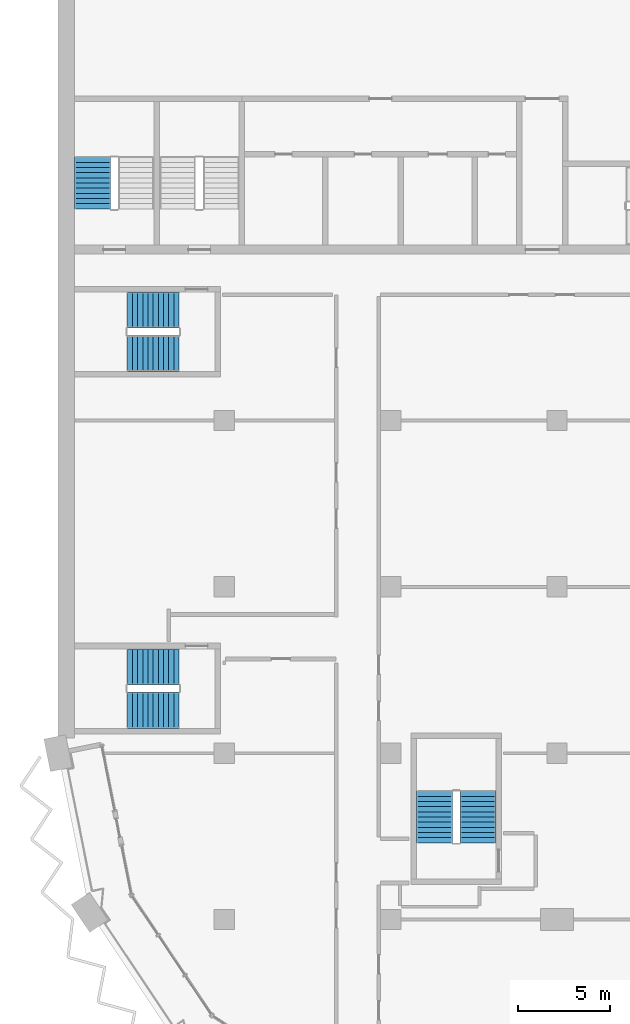
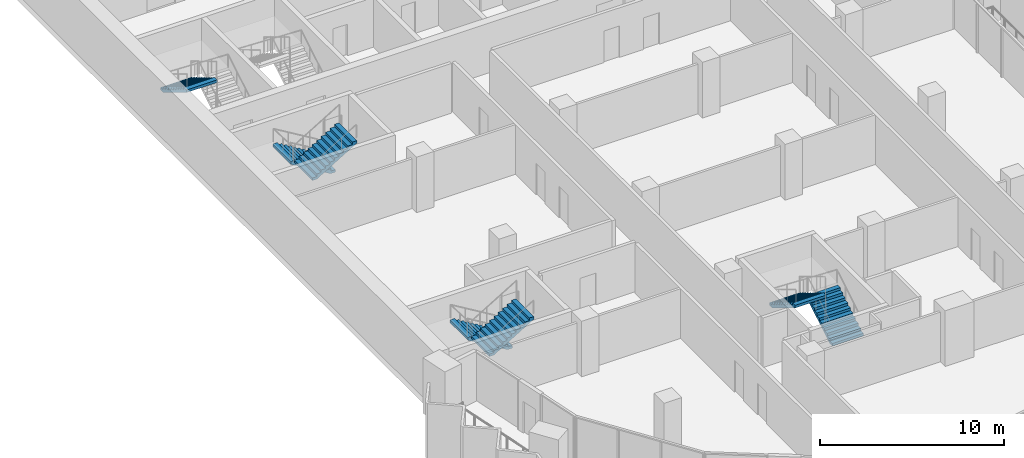
# One storey, part 11 of 18: 7 stair flights, 4 elements without a shape of their own.
"""IFC4 building model written with IfcOpenShell, lengths in metres."""

import ifcopenshell
import ifcopenshell.guid

model = None  # the IFC model being written
_history = None  # IfcOwnerHistory: only IFC2X3 demands one
_inside = {}  # id of a spatial element -> (the spatial element, [elements in it])
_under = {}  # id of a project, library or spatial element -> (it, [spatial elements below it])
_declared = {}  # id of a project -> (the project, [libraries it declares])
_typed = {}  # id of a type object -> (the type object, [elements of that type])
_made_of = {}  # id of a material, layer set ... -> (it, [elements and type objects made of it])


def new_model(schema):
    """Start an empty IFC model of exactly this schema.

    Asked for "IFC4X3", IfcOpenShell would pick the latest addendum, in which some entities
    have other attributes; the version numbers below select the first issue.
    IFC2X3 requires an IfcOwnerHistory on every rooted entity: one is made here for all.
    """
    global model, _history
    if schema == "IFC4X3":
        model = ifcopenshell.file(schema_version=(4, 3, 0, 0))
    else:
        model = ifcopenshell.file(schema=schema)
    _inside.clear()
    _under.clear()
    _declared.clear()
    _typed.clear()
    _made_of.clear()
    _history = None
    if model.schema == "IFC2X3":
        org = make("IfcOrganization", Name="unknown")
        user = make(
            "IfcPersonAndOrganization",
            ThePerson=make("IfcPerson", FamilyName="unknown"),
            TheOrganization=org,
        )
        app = make(
            "IfcApplication",
            ApplicationDeveloper=org,
            Version="unknown",
            ApplicationFullName="unknown",
            ApplicationIdentifier="unknown",
        )
        _history = make(
            "IfcOwnerHistory",
            OwningUser=user,
            OwningApplication=app,
            ChangeAction="ADDED",
            CreationDate=0,
        )
    return model


def make(cls, **values):
    """One entity of the class cls with the attributes given. An attribute that is None is left unset."""
    return model.create_entity(
        cls, **{name: value for name, value in values.items() if value is not None}
    )


def rooted(cls, **values):
    """An entity with a GlobalId (a new one), such as an element, a storey or a relation."""
    return make(cls, GlobalId=ifcopenshell.guid.new(), OwnerHistory=_history, **values)


def si_unit(unit_type, name, prefix=None):
    """IfcSIUnit, for example si_unit("LENGTHUNIT", "METRE", prefix="MILLI")."""
    return make("IfcSIUnit", UnitType=unit_type, Prefix=prefix, Name=name)


def assignment(units):
    """IfcUnitAssignment: the units of a project."""
    return None if units is None else make("IfcUnitAssignment", Units=units)


def point(xyz):
    """IfcCartesianPoint."""
    return None if xyz is None else make("IfcCartesianPoint", Coordinates=xyz)


def direction(xyz):
    """IfcDirection."""
    return None if xyz is None else make("IfcDirection", DirectionRatios=xyz)


def frame(location, z_axis=None, x_axis=None):
    """IfcAxis2Placement3D, a coordinate frame: its origin and axes. An axis left out is left unset."""
    return make(
        "IfcAxis2Placement3D",
        Location=point(location),
        Axis=direction(z_axis),
        RefDirection=direction(x_axis),
    )


def origin():
    """The frame at (0, 0, 0) with its axes left unset."""
    return frame((0.0, 0.0, 0.0))


def place(relative_to, where):
    """IfcLocalPlacement: puts the frame where relative to a parent placement (None: the world)."""
    return make(
        "IfcLocalPlacement", PlacementRelTo=relative_to, RelativePlacement=where
    )


def context(
    kind, dimensions, precision=None, world=None, true_north=None, identifier=None
):
    """IfcGeometricRepresentationContext, for example the 3D "Model" context."""
    return make(
        "IfcGeometricRepresentationContext",
        ContextIdentifier=identifier,
        ContextType=kind,
        CoordinateSpaceDimension=dimensions,
        Precision=precision,
        WorldCoordinateSystem=world,
        TrueNorth=true_north,
    )


def subcontext(parent, identifier, kind, view, scale=None):
    """IfcGeometricRepresentationSubContext, for example "Body" below "Model"."""
    return make(
        "IfcGeometricRepresentationSubContext",
        ContextIdentifier=identifier,
        ContextType=kind,
        ParentContext=parent,
        TargetScale=scale,
        TargetView=view,
    )


def project(units=None, contexts=None):
    """IfcProject with its units and contexts."""
    return rooted(
        "IfcProject",
        Name="project",
        RepresentationContexts=contexts,
        UnitsInContext=assignment(units),
    )


def spatial(cls, under=None, at=None, **own):
    """A site, building, storey or space (cls), placed at a placement, below another one or the project."""
    s = rooted(cls, ObjectPlacement=at, **own)
    if under is not None:
        _under.setdefault(under.id(), (under, []))[1].append(s)
    return s


def polyline(points):
    """IfcPolyline through the points."""
    return make("IfcPolyline", Points=[point(p) for p in points])


def outline(outer, holes=None, kind="AREA"):
    """IfcArbitraryClosedProfileDef: a profile drawn as a closed curve; with holes, ...WithVoids."""
    if holes is None:
        return make("IfcArbitraryClosedProfileDef", ProfileType=kind, OuterCurve=outer)
    return make(
        "IfcArbitraryProfileDefWithVoids",
        ProfileType=kind,
        OuterCurve=outer,
        InnerCurves=holes,
    )


def extrude(swept, where, along, depth):
    """IfcExtrudedAreaSolid: the profile swept, set in the frame where, extruded along a direction by depth."""
    return make(
        "IfcExtrudedAreaSolid",
        SweptArea=swept,
        Position=where,
        ExtrudedDirection=direction(along),
        Depth=depth,
    )


def shape(context_of_items, identifier, shape_type, items):
    """IfcShapeRepresentation: the items that make up one representation, for example the "Body"."""
    return make(
        "IfcShapeRepresentation",
        ContextOfItems=context_of_items,
        RepresentationIdentifier=identifier,
        RepresentationType=shape_type,
        Items=items,
    )


def material(Name=None, Category=None):
    """IfcMaterial."""
    return make("IfcMaterial", Name=Name, Category=Category)


def made_of(thing, what):
    """Note that an element or type object is made of a material, layer set ...; save() writes the relation."""
    if what is not None:
        _made_of.setdefault(what.id(), (what, []))[1].append(thing)
    return thing


def type_object(cls, material=None, **own):
    """A type object (cls), such as IfcWallType, which elements share."""
    return made_of(rooted(cls, **own), material)


def element(
    cls,
    number,
    at=None,
    inside=None,
    cuts=None,
    type_object=None,
    material=None,
    context=None,
    identifier="Body",
    shape_type=None,
    held_by="IfcProductDefinitionShape",
    body=None,
    shapes=None,
    **own,
):
    """One element of the class cls, such as IfcWall. Its Tag is "e" and its number.

    at: its placement. inside: the storey or other place that contains it. cuts: it is an
    opening in that element (IfcRelVoidsElement). A single representation is given by context,
    identifier, shape_type and body (its items); several are given by shapes. held_by: the class
    of the entity that holds the representations. save() writes the other relations.
    """
    e = rooted(cls, Tag="e%d" % number, ObjectPlacement=at, **own)
    if body is not None:
        shapes = [shape(context, identifier, shape_type, body)]
    if shapes is not None:
        e.Representation = make(held_by, Representations=shapes)
    if inside is not None:
        _inside.setdefault(inside.id(), (inside, []))[1].append(e)
    if cuts is not None:
        rooted(
            "IfcRelVoidsElement", RelatingBuildingElement=cuts, RelatedOpeningElement=e
        )
    if type_object is not None:
        _typed.setdefault(type_object.id(), (type_object, []))[1].append(e)
    return made_of(e, material)


def aggregate(whole, parts):
    """IfcRelAggregates: a whole, such as a stair, and the parts it consists of."""
    return rooted("IfcRelAggregates", RelatingObject=whole, RelatedObjects=parts)


def save(model, path):
    """Write the relations noted so far, then the file.

    IfcRelAggregates (storeys below a building ...), IfcRelContainedInSpatialStructure (elements
    in a storey), IfcRelDefinesByType, IfcRelAssociatesMaterial and IfcRelDeclares: one each for
    every whole, place, type object, material and project.
    """
    for whole, parts in _under.values():
        aggregate(whole, parts)
    for where, things in _inside.values():
        rooted(
            "IfcRelContainedInSpatialStructure",
            RelatedElements=things,
            RelatingStructure=where,
        )
    for kind, things in _typed.values():
        rooted("IfcRelDefinesByType", RelatedObjects=things, RelatingType=kind)
    for what, things in _made_of.values():
        rooted("IfcRelAssociatesMaterial", RelatedObjects=things, RelatingMaterial=what)
    for by, libraries in _declared.values():
        rooted("IfcRelDeclares", RelatingContext=by, RelatedDefinitions=libraries)
    model.write(path)


model = new_model("IFC4")

# Units and contexts
model_context = context("Model", 3, precision=1e-05, world=origin(), true_north=direction((0.0, 1.0)))
body_context = subcontext(model_context, "Body", "Model", "MODEL_VIEW")
ifc_project = project(units=[si_unit("LENGTHUNIT", "METRE"), si_unit("AREAUNIT", "SQUARE_METRE"), si_unit("VOLUMEUNIT", "CUBIC_METRE"), si_unit("PLANEANGLEUNIT", "RADIAN"), si_unit("MASSUNIT", "GRAM", prefix="KILO")], contexts=[model_context])

# Site, building, storey
site_placement = place(None, origin())
site = spatial("IfcSite", under=ifc_project, at=site_placement, CompositionType="ELEMENT")
building_placement = place(site_placement, origin())
building = spatial("IfcBuilding", under=site, at=building_placement, Name="Hunhe Ridgeline Campus", CompositionType="ELEMENT")
storey_placement = place(building_placement, frame((0.0, 0.0, 182.800048828125)))
storey = spatial("IfcBuildingStorey", under=building, at=storey_placement, Name="L46", CompositionType="ELEMENT", Elevation=182.800048828125)

# Stair, stair flight
ifc_material = material(Name="Concrete C40", Category="concrete")
stair_type = type_object("IfcStairType", Name="Reinforced concrete dog-leg stair 1950 Concrete C40", PredefinedType="HALF_TURN_STAIR", material=ifc_material)
stair_1_placement = place(storey_placement, origin())
stair_1 = element("IfcStair", 1, at=stair_1_placement, inside=storey, type_object=stair_type, Name="L46 S3", PredefinedType="HALF_TURN_STAIR")
stair_flight_type = type_object("IfcStairFlightType", Name="Reinforced concrete stair flight 1950 Concrete C40", PredefinedType="STRAIGHT", material=ifc_material)
stair_flight_1_placement = place(storey_placement, frame((1.875, 68.25, 1.849853515625), z_axis=(0.0, 0.0, 1.0), x_axis=(0.0, -1.0, 0.0)))
stair_flight_1 = element("IfcStairFlight", 2, at=stair_flight_1_placement, type_object=stair_flight_type, Name="ST3 flight 2", NumberOfRisers=11, NumberOfTreads=10, PredefinedType="STRAIGHT", RiserHeight=0.168181818, TreadLength=0.28, context=body_context, shape_type="SweptSolid", body=[
    extrude(outline(polyline([(0.0, 0.0), (0.0, 0.168212890625), (0.280029296875, 0.168212890625), (0.280029296875, 0.33642578125), (0.56005859375, 0.33642578125), (0.56005859375, 0.504638671875), (0.840087890625, 0.504638671875), (0.840087890625, 0.672607421875), (1.1201171875, 0.672607421875), (1.1201171875, 0.8408203125), (1.39990234375, 0.8408203125), (1.39990234375, 1.009033203125), (1.679931640625, 1.009033203125), (1.679931640625, 1.17724609375), (1.9599609375, 1.17724609375), (1.9599609375, 1.345458984375), (2.239990234375, 1.345458984375), (2.239990234375, 1.513671875), (2.52001953125, 1.513671875), (2.52001953125, 1.681884765625), (2.800048828125, 1.681884765625), (2.800048828125, 1.85009765625), (2.800048828125, 1.5068359375), (0.291015625, 0.0), (0.0, 0.0)])), frame((0.0, 0.97509765625, 0.0), z_axis=(0.0, -1.0, 0.0), x_axis=(1.0, 0.0, 0.0)), (0.0, 0.0, 1.0), 1.949951171875),
    extrude(outline(polyline([(0.030029296875, 0.030029296875), (0.030029296875, 0.13818359375), (0.31005859375, 0.13818359375), (0.31005859375, 0.306396484375), (0.590087890625, 0.306396484375), (0.590087890625, 0.474609375), (0.8701171875, 0.474609375), (0.8701171875, 0.642578125), (1.14990234375, 0.642578125), (1.14990234375, 0.810791015625), (1.429931640625, 0.810791015625), (1.429931640625, 0.97900390625), (1.7099609375, 0.97900390625), (1.7099609375, 1.147216796875), (1.989990234375, 1.147216796875), (1.989990234375, 1.3154296875), (2.27001953125, 1.3154296875), (2.27001953125, 1.483642578125), (2.550048828125, 1.483642578125), (2.550048828125, 1.65185546875), (2.77001953125, 1.65185546875), (2.77001953125, 1.52392578125), (0.28271484375, 0.030029296875), (0.030029296875, 0.030029296875)])), frame((0.0, -0.070068359375, 0.0), z_axis=(0.0, -1.0, 0.0), x_axis=(1.0, 0.0, 0.0)), (0.0, 0.0, 1.0), 0.019775390625),
    extrude(outline(polyline([(0.030029296875, 0.030029296875), (0.030029296875, 0.13818359375), (0.31005859375, 0.13818359375), (0.31005859375, 0.306396484375), (0.590087890625, 0.306396484375), (0.590087890625, 0.474609375), (0.8701171875, 0.474609375), (0.8701171875, 0.642578125), (1.14990234375, 0.642578125), (1.14990234375, 0.810791015625), (1.429931640625, 0.810791015625), (1.429931640625, 0.97900390625), (1.7099609375, 0.97900390625), (1.7099609375, 1.147216796875), (1.989990234375, 1.147216796875), (1.989990234375, 1.3154296875), (2.27001953125, 1.3154296875), (2.27001953125, 1.483642578125), (2.550048828125, 1.483642578125), (2.550048828125, 1.65185546875), (2.77001953125, 1.65185546875), (2.77001953125, 1.52392578125), (0.28271484375, 0.030029296875), (0.030029296875, 0.030029296875)])), frame((0.0, 0.010009765625, 0.0), z_axis=(0.0, -1.0, 0.0), x_axis=(1.0, 0.0, 0.0)), (0.0, 0.0, 1.0), 0.019775390625),
    extrude(outline(polyline([(0.030029296875, 0.030029296875), (0.030029296875, 0.13818359375), (0.31005859375, 0.13818359375), (0.31005859375, 0.306396484375), (0.590087890625, 0.306396484375), (0.590087890625, 0.474609375), (0.8701171875, 0.474609375), (0.8701171875, 0.642578125), (1.14990234375, 0.642578125), (1.14990234375, 0.810791015625), (1.429931640625, 0.810791015625), (1.429931640625, 0.97900390625), (1.7099609375, 0.97900390625), (1.7099609375, 1.147216796875), (1.989990234375, 1.147216796875), (1.989990234375, 1.3154296875), (2.27001953125, 1.3154296875), (2.27001953125, 1.483642578125), (2.550048828125, 1.483642578125), (2.550048828125, 1.65185546875), (2.77001953125, 1.65185546875), (2.77001953125, 1.52392578125), (0.28271484375, 0.030029296875), (0.030029296875, 0.030029296875)])), frame((0.0, 0.090087890625, 0.0), z_axis=(0.0, -1.0, 0.0), x_axis=(1.0, 0.0, 0.0)), (0.0, 0.0, 1.0), 0.019775390625),
])
aggregate(stair_1, [stair_flight_1])

# Stair, stair flights
stair_2_placement = place(storey_placement, origin())
stair_2 = element("IfcStair", 3, at=stair_2_placement, inside=storey, type_object=stair_type, Name="L46 W3", PredefinedType="HALF_TURN_STAIR")
stair_flight_2_placement = place(storey_placement, frame((22.72509765625, 31.14990234375, 0.0), z_axis=(0.0, 0.0, 1.0), x_axis=(0.0, 1.0, 0.0)))
stair_flight_2 = element("IfcStairFlight", 4, at=stair_flight_2_placement, type_object=stair_flight_type, Name="ST9 flight 1", NumberOfRisers=11, NumberOfTreads=10, PredefinedType="STRAIGHT", RiserHeight=0.168181818, TreadLength=0.28, context=body_context, shape_type="SweptSolid", body=[
    extrude(outline(polyline([(0.0, 0.0), (0.0, 0.168212890625), (0.280029296875, 0.168212890625), (0.280029296875, 0.33642578125), (0.56005859375, 0.33642578125), (0.56005859375, 0.504638671875), (0.840087890625, 0.504638671875), (0.840087890625, 0.672607421875), (1.1201171875, 0.672607421875), (1.1201171875, 0.8408203125), (1.39990234375, 0.8408203125), (1.39990234375, 1.009033203125), (1.679931640625, 1.009033203125), (1.679931640625, 1.17724609375), (1.9599609375, 1.17724609375), (1.9599609375, 1.345458984375), (2.239990234375, 1.345458984375), (2.239990234375, 1.513671875), (2.52001953125, 1.513671875), (2.52001953125, 1.681884765625), (2.800048828125, 1.681884765625), (2.800048828125, 1.85009765625), (2.800048828125, 1.5068359375), (0.291015625, 0.0), (0.0, 0.0)])), frame((0.0, 0.97509765625, 0.0), z_axis=(0.0, -1.0, 0.0), x_axis=(1.0, 0.0, 0.0)), (0.0, 0.0, 1.0), 1.949951171875),
    extrude(outline(polyline([(0.030029296875, 0.030029296875), (0.030029296875, 0.13818359375), (0.31005859375, 0.13818359375), (0.31005859375, 0.306396484375), (0.590087890625, 0.306396484375), (0.590087890625, 0.474609375), (0.8701171875, 0.474609375), (0.8701171875, 0.642578125), (1.14990234375, 0.642578125), (1.14990234375, 0.810791015625), (1.429931640625, 0.810791015625), (1.429931640625, 0.97900390625), (1.7099609375, 0.97900390625), (1.7099609375, 1.147216796875), (1.989990234375, 1.147216796875), (1.989990234375, 1.3154296875), (2.27001953125, 1.3154296875), (2.27001953125, 1.483642578125), (2.550048828125, 1.483642578125), (2.550048828125, 1.65185546875), (2.77001953125, 1.65185546875), (2.77001953125, 1.52392578125), (0.28271484375, 0.030029296875), (0.030029296875, 0.030029296875)])), frame((0.0, -0.070068359375, 0.0), z_axis=(0.0, -1.0, 0.0), x_axis=(1.0, 0.0, 0.0)), (0.0, 0.0, 1.0), 0.019775390625),
    extrude(outline(polyline([(0.030029296875, 0.030029296875), (0.030029296875, 0.13818359375), (0.31005859375, 0.13818359375), (0.31005859375, 0.306396484375), (0.590087890625, 0.306396484375), (0.590087890625, 0.474609375), (0.8701171875, 0.474609375), (0.8701171875, 0.642578125), (1.14990234375, 0.642578125), (1.14990234375, 0.810791015625), (1.429931640625, 0.810791015625), (1.429931640625, 0.97900390625), (1.7099609375, 0.97900390625), (1.7099609375, 1.147216796875), (1.989990234375, 1.147216796875), (1.989990234375, 1.3154296875), (2.27001953125, 1.3154296875), (2.27001953125, 1.483642578125), (2.550048828125, 1.483642578125), (2.550048828125, 1.65185546875), (2.77001953125, 1.65185546875), (2.77001953125, 1.52392578125), (0.28271484375, 0.030029296875), (0.030029296875, 0.030029296875)])), frame((0.0, 0.010009765625, 0.0), z_axis=(0.0, -1.0, 0.0), x_axis=(1.0, 0.0, 0.0)), (0.0, 0.0, 1.0), 0.019775390625),
    extrude(outline(polyline([(0.030029296875, 0.030029296875), (0.030029296875, 0.13818359375), (0.31005859375, 0.13818359375), (0.31005859375, 0.306396484375), (0.590087890625, 0.306396484375), (0.590087890625, 0.474609375), (0.8701171875, 0.474609375), (0.8701171875, 0.642578125), (1.14990234375, 0.642578125), (1.14990234375, 0.810791015625), (1.429931640625, 0.810791015625), (1.429931640625, 0.97900390625), (1.7099609375, 0.97900390625), (1.7099609375, 1.147216796875), (1.989990234375, 1.147216796875), (1.989990234375, 1.3154296875), (2.27001953125, 1.3154296875), (2.27001953125, 1.483642578125), (2.550048828125, 1.483642578125), (2.550048828125, 1.65185546875), (2.77001953125, 1.65185546875), (2.77001953125, 1.52392578125), (0.28271484375, 0.030029296875), (0.030029296875, 0.030029296875)])), frame((0.0, 0.090087890625, 0.0), z_axis=(0.0, -1.0, 0.0), x_axis=(1.0, 0.0, 0.0)), (0.0, 0.0, 1.0), 0.019775390625),
])
stair_flight_3_placement = place(storey_placement, frame((20.375, 33.949951171875, 1.849853515625), z_axis=(0.0, 0.0, 1.0), x_axis=(0.0, -1.0, 0.0)))
stair_flight_3 = element("IfcStairFlight", 5, at=stair_flight_3_placement, type_object=stair_flight_type, Name="ST9 flight 2", NumberOfRisers=11, NumberOfTreads=10, PredefinedType="STRAIGHT", RiserHeight=0.168181818, TreadLength=0.28, context=body_context, shape_type="SweptSolid", body=[
    extrude(outline(polyline([(0.0, 0.0), (0.0, 0.168212890625), (0.280029296875, 0.168212890625), (0.280029296875, 0.33642578125), (0.56005859375, 0.33642578125), (0.56005859375, 0.504638671875), (0.840087890625, 0.504638671875), (0.840087890625, 0.672607421875), (1.1201171875, 0.672607421875), (1.1201171875, 0.8408203125), (1.39990234375, 0.8408203125), (1.39990234375, 1.009033203125), (1.679931640625, 1.009033203125), (1.679931640625, 1.17724609375), (1.9599609375, 1.17724609375), (1.9599609375, 1.345458984375), (2.239990234375, 1.345458984375), (2.239990234375, 1.513671875), (2.52001953125, 1.513671875), (2.52001953125, 1.681884765625), (2.800048828125, 1.681884765625), (2.800048828125, 1.85009765625), (2.800048828125, 1.5068359375), (0.291015625, 0.0), (0.0, 0.0)])), frame((0.0, 0.97509765625, 0.0), z_axis=(0.0, -1.0, 0.0), x_axis=(1.0, 0.0, 0.0)), (0.0, 0.0, 1.0), 1.949951171875),
    extrude(outline(polyline([(0.030029296875, 0.030029296875), (0.030029296875, 0.13818359375), (0.31005859375, 0.13818359375), (0.31005859375, 0.306396484375), (0.590087890625, 0.306396484375), (0.590087890625, 0.474609375), (0.8701171875, 0.474609375), (0.8701171875, 0.642578125), (1.14990234375, 0.642578125), (1.14990234375, 0.810791015625), (1.429931640625, 0.810791015625), (1.429931640625, 0.97900390625), (1.7099609375, 0.97900390625), (1.7099609375, 1.147216796875), (1.989990234375, 1.147216796875), (1.989990234375, 1.3154296875), (2.27001953125, 1.3154296875), (2.27001953125, 1.483642578125), (2.550048828125, 1.483642578125), (2.550048828125, 1.65185546875), (2.77001953125, 1.65185546875), (2.77001953125, 1.52392578125), (0.28271484375, 0.030029296875), (0.030029296875, 0.030029296875)])), frame((0.0, -0.070068359375, 0.0), z_axis=(0.0, -1.0, 0.0), x_axis=(1.0, 0.0, 0.0)), (0.0, 0.0, 1.0), 0.019775390625),
    extrude(outline(polyline([(0.030029296875, 0.030029296875), (0.030029296875, 0.13818359375), (0.31005859375, 0.13818359375), (0.31005859375, 0.306396484375), (0.590087890625, 0.306396484375), (0.590087890625, 0.474609375), (0.8701171875, 0.474609375), (0.8701171875, 0.642578125), (1.14990234375, 0.642578125), (1.14990234375, 0.810791015625), (1.429931640625, 0.810791015625), (1.429931640625, 0.97900390625), (1.7099609375, 0.97900390625), (1.7099609375, 1.147216796875), (1.989990234375, 1.147216796875), (1.989990234375, 1.3154296875), (2.27001953125, 1.3154296875), (2.27001953125, 1.483642578125), (2.550048828125, 1.483642578125), (2.550048828125, 1.65185546875), (2.77001953125, 1.65185546875), (2.77001953125, 1.52392578125), (0.28271484375, 0.030029296875), (0.030029296875, 0.030029296875)])), frame((0.0, 0.010009765625, 0.0), z_axis=(0.0, -1.0, 0.0), x_axis=(1.0, 0.0, 0.0)), (0.0, 0.0, 1.0), 0.019775390625),
    extrude(outline(polyline([(0.030029296875, 0.030029296875), (0.030029296875, 0.13818359375), (0.31005859375, 0.13818359375), (0.31005859375, 0.306396484375), (0.590087890625, 0.306396484375), (0.590087890625, 0.474609375), (0.8701171875, 0.474609375), (0.8701171875, 0.642578125), (1.14990234375, 0.642578125), (1.14990234375, 0.810791015625), (1.429931640625, 0.810791015625), (1.429931640625, 0.97900390625), (1.7099609375, 0.97900390625), (1.7099609375, 1.147216796875), (1.989990234375, 1.147216796875), (1.989990234375, 1.3154296875), (2.27001953125, 1.3154296875), (2.27001953125, 1.483642578125), (2.550048828125, 1.483642578125), (2.550048828125, 1.65185546875), (2.77001953125, 1.65185546875), (2.77001953125, 1.52392578125), (0.28271484375, 0.030029296875), (0.030029296875, 0.030029296875)])), frame((0.0, 0.090087890625, 0.0), z_axis=(0.0, -1.0, 0.0), x_axis=(1.0, 0.0, 0.0)), (0.0, 0.0, 1.0), 0.019775390625),
])
aggregate(stair_2, [stair_flight_2, stair_flight_3])

stair_3_placement = place(storey_placement, origin())
stair_3 = element("IfcStair", 6, at=stair_3_placement, inside=storey, type_object=stair_type, Name="L46 W1", PredefinedType="HALF_TURN_STAIR")
stair_flight_4_placement = place(storey_placement, frame((6.550048828125, 40.675048828125, 0.0), z_axis=(0.0, 0.0, 1.0), x_axis=(-1.0, 0.0, 0.0)))
stair_flight_4 = element("IfcStairFlight", 7, at=stair_flight_4_placement, type_object=stair_flight_type, Name="ST11 flight 1", NumberOfRisers=11, NumberOfTreads=10, PredefinedType="STRAIGHT", RiserHeight=0.168181818, TreadLength=0.28, context=body_context, shape_type="SweptSolid", body=[
    extrude(outline(polyline([(0.0, 0.0), (0.0, 0.168212890625), (0.280029296875, 0.168212890625), (0.280029296875, 0.33642578125), (0.56005859375, 0.33642578125), (0.56005859375, 0.504638671875), (0.840087890625, 0.504638671875), (0.840087890625, 0.672607421875), (1.1201171875, 0.672607421875), (1.1201171875, 0.8408203125), (1.39990234375, 0.8408203125), (1.39990234375, 1.009033203125), (1.679931640625, 1.009033203125), (1.679931640625, 1.17724609375), (1.9599609375, 1.17724609375), (1.9599609375, 1.345458984375), (2.239990234375, 1.345458984375), (2.239990234375, 1.513671875), (2.52001953125, 1.513671875), (2.52001953125, 1.681884765625), (2.800048828125, 1.681884765625), (2.800048828125, 1.85009765625), (2.800048828125, 1.5068359375), (0.291015625, 0.0), (0.0, 0.0)])), frame((0.0, 0.97509765625, 0.0), z_axis=(0.0, -1.0, 0.0), x_axis=(1.0, 0.0, 0.0)), (0.0, 0.0, 1.0), 1.949951171875),
    extrude(outline(polyline([(0.030029296875, 0.030029296875), (0.030029296875, 0.13818359375), (0.31005859375, 0.13818359375), (0.31005859375, 0.306396484375), (0.590087890625, 0.306396484375), (0.590087890625, 0.474609375), (0.8701171875, 0.474609375), (0.8701171875, 0.642578125), (1.14990234375, 0.642578125), (1.14990234375, 0.810791015625), (1.429931640625, 0.810791015625), (1.429931640625, 0.97900390625), (1.7099609375, 0.97900390625), (1.7099609375, 1.147216796875), (1.989990234375, 1.147216796875), (1.989990234375, 1.3154296875), (2.27001953125, 1.3154296875), (2.27001953125, 1.483642578125), (2.550048828125, 1.483642578125), (2.550048828125, 1.65185546875), (2.77001953125, 1.65185546875), (2.77001953125, 1.52392578125), (0.28271484375, 0.030029296875), (0.030029296875, 0.030029296875)])), frame((0.0, -0.070068359375, 0.0), z_axis=(0.0, -1.0, 0.0), x_axis=(1.0, 0.0, 0.0)), (0.0, 0.0, 1.0), 0.019775390625),
    extrude(outline(polyline([(0.030029296875, 0.030029296875), (0.030029296875, 0.13818359375), (0.31005859375, 0.13818359375), (0.31005859375, 0.306396484375), (0.590087890625, 0.306396484375), (0.590087890625, 0.474609375), (0.8701171875, 0.474609375), (0.8701171875, 0.642578125), (1.14990234375, 0.642578125), (1.14990234375, 0.810791015625), (1.429931640625, 0.810791015625), (1.429931640625, 0.97900390625), (1.7099609375, 0.97900390625), (1.7099609375, 1.147216796875), (1.989990234375, 1.147216796875), (1.989990234375, 1.3154296875), (2.27001953125, 1.3154296875), (2.27001953125, 1.483642578125), (2.550048828125, 1.483642578125), (2.550048828125, 1.65185546875), (2.77001953125, 1.65185546875), (2.77001953125, 1.52392578125), (0.28271484375, 0.030029296875), (0.030029296875, 0.030029296875)])), frame((0.0, 0.010009765625, 0.0), z_axis=(0.0, -1.0, 0.0), x_axis=(1.0, 0.0, 0.0)), (0.0, 0.0, 1.0), 0.019775390625),
    extrude(outline(polyline([(0.030029296875, 0.030029296875), (0.030029296875, 0.13818359375), (0.31005859375, 0.13818359375), (0.31005859375, 0.306396484375), (0.590087890625, 0.306396484375), (0.590087890625, 0.474609375), (0.8701171875, 0.474609375), (0.8701171875, 0.642578125), (1.14990234375, 0.642578125), (1.14990234375, 0.810791015625), (1.429931640625, 0.810791015625), (1.429931640625, 0.97900390625), (1.7099609375, 0.97900390625), (1.7099609375, 1.147216796875), (1.989990234375, 1.147216796875), (1.989990234375, 1.3154296875), (2.27001953125, 1.3154296875), (2.27001953125, 1.483642578125), (2.550048828125, 1.483642578125), (2.550048828125, 1.65185546875), (2.77001953125, 1.65185546875), (2.77001953125, 1.52392578125), (0.28271484375, 0.030029296875), (0.030029296875, 0.030029296875)])), frame((0.0, 0.090087890625, 0.0), z_axis=(0.0, -1.0, 0.0), x_axis=(1.0, 0.0, 0.0)), (0.0, 0.0, 1.0), 0.019775390625),
])
stair_flight_5_placement = place(storey_placement, frame((3.75, 38.324951171875, 1.849853515625), z_axis=(0.0, 0.0, 1.0), x_axis=(1.0, 0.0, 0.0)))
stair_flight_5 = element("IfcStairFlight", 8, at=stair_flight_5_placement, type_object=stair_flight_type, Name="ST11 flight 2", NumberOfRisers=11, NumberOfTreads=10, PredefinedType="STRAIGHT", RiserHeight=0.168181818, TreadLength=0.28, context=body_context, shape_type="SweptSolid", body=[
    extrude(outline(polyline([(0.0, 0.0), (0.0, 0.168212890625), (0.280029296875, 0.168212890625), (0.280029296875, 0.33642578125), (0.56005859375, 0.33642578125), (0.56005859375, 0.504638671875), (0.840087890625, 0.504638671875), (0.840087890625, 0.672607421875), (1.1201171875, 0.672607421875), (1.1201171875, 0.8408203125), (1.39990234375, 0.8408203125), (1.39990234375, 1.009033203125), (1.679931640625, 1.009033203125), (1.679931640625, 1.17724609375), (1.9599609375, 1.17724609375), (1.9599609375, 1.345458984375), (2.239990234375, 1.345458984375), (2.239990234375, 1.513671875), (2.52001953125, 1.513671875), (2.52001953125, 1.681884765625), (2.800048828125, 1.681884765625), (2.800048828125, 1.85009765625), (2.800048828125, 1.5068359375), (0.291015625, 0.0), (0.0, 0.0)])), frame((0.0, 0.97509765625, 0.0), z_axis=(0.0, -1.0, 0.0), x_axis=(1.0, 0.0, 0.0)), (0.0, 0.0, 1.0), 1.949951171875),
    extrude(outline(polyline([(0.030029296875, 0.030029296875), (0.030029296875, 0.13818359375), (0.31005859375, 0.13818359375), (0.31005859375, 0.306396484375), (0.590087890625, 0.306396484375), (0.590087890625, 0.474609375), (0.8701171875, 0.474609375), (0.8701171875, 0.642578125), (1.14990234375, 0.642578125), (1.14990234375, 0.810791015625), (1.429931640625, 0.810791015625), (1.429931640625, 0.97900390625), (1.7099609375, 0.97900390625), (1.7099609375, 1.147216796875), (1.989990234375, 1.147216796875), (1.989990234375, 1.3154296875), (2.27001953125, 1.3154296875), (2.27001953125, 1.483642578125), (2.550048828125, 1.483642578125), (2.550048828125, 1.65185546875), (2.77001953125, 1.65185546875), (2.77001953125, 1.52392578125), (0.28271484375, 0.030029296875), (0.030029296875, 0.030029296875)])), frame((0.0, -0.070068359375, 0.0), z_axis=(0.0, -1.0, 0.0), x_axis=(1.0, 0.0, 0.0)), (0.0, 0.0, 1.0), 0.019775390625),
    extrude(outline(polyline([(0.030029296875, 0.030029296875), (0.030029296875, 0.13818359375), (0.31005859375, 0.13818359375), (0.31005859375, 0.306396484375), (0.590087890625, 0.306396484375), (0.590087890625, 0.474609375), (0.8701171875, 0.474609375), (0.8701171875, 0.642578125), (1.14990234375, 0.642578125), (1.14990234375, 0.810791015625), (1.429931640625, 0.810791015625), (1.429931640625, 0.97900390625), (1.7099609375, 0.97900390625), (1.7099609375, 1.147216796875), (1.989990234375, 1.147216796875), (1.989990234375, 1.3154296875), (2.27001953125, 1.3154296875), (2.27001953125, 1.483642578125), (2.550048828125, 1.483642578125), (2.550048828125, 1.65185546875), (2.77001953125, 1.65185546875), (2.77001953125, 1.52392578125), (0.28271484375, 0.030029296875), (0.030029296875, 0.030029296875)])), frame((0.0, 0.010009765625, 0.0), z_axis=(0.0, -1.0, 0.0), x_axis=(1.0, 0.0, 0.0)), (0.0, 0.0, 1.0), 0.019775390625),
    extrude(outline(polyline([(0.030029296875, 0.030029296875), (0.030029296875, 0.13818359375), (0.31005859375, 0.13818359375), (0.31005859375, 0.306396484375), (0.590087890625, 0.306396484375), (0.590087890625, 0.474609375), (0.8701171875, 0.474609375), (0.8701171875, 0.642578125), (1.14990234375, 0.642578125), (1.14990234375, 0.810791015625), (1.429931640625, 0.810791015625), (1.429931640625, 0.97900390625), (1.7099609375, 0.97900390625), (1.7099609375, 1.147216796875), (1.989990234375, 1.147216796875), (1.989990234375, 1.3154296875), (2.27001953125, 1.3154296875), (2.27001953125, 1.483642578125), (2.550048828125, 1.483642578125), (2.550048828125, 1.65185546875), (2.77001953125, 1.65185546875), (2.77001953125, 1.52392578125), (0.28271484375, 0.030029296875), (0.030029296875, 0.030029296875)])), frame((0.0, 0.090087890625, 0.0), z_axis=(0.0, -1.0, 0.0), x_axis=(1.0, 0.0, 0.0)), (0.0, 0.0, 1.0), 0.019775390625),
])
aggregate(stair_3, [stair_flight_4, stair_flight_5])

stair_4_placement = place(storey_placement, origin())
stair_4 = element("IfcStair", 9, at=stair_4_placement, inside=storey, type_object=stair_type, Name="L46 W2", PredefinedType="HALF_TURN_STAIR")
stair_flight_6_placement = place(storey_placement, frame((6.550048828125, 59.97509765625, 0.0), z_axis=(0.0, 0.0, 1.0), x_axis=(-1.0, 0.0, 0.0)))
stair_flight_6 = element("IfcStairFlight", 10, at=stair_flight_6_placement, type_object=stair_flight_type, Name="ST12 flight 1", NumberOfRisers=11, NumberOfTreads=10, PredefinedType="STRAIGHT", RiserHeight=0.168181818, TreadLength=0.28, context=body_context, shape_type="SweptSolid", body=[
    extrude(outline(polyline([(0.0, 0.0), (0.0, 0.168212890625), (0.280029296875, 0.168212890625), (0.280029296875, 0.33642578125), (0.56005859375, 0.33642578125), (0.56005859375, 0.504638671875), (0.840087890625, 0.504638671875), (0.840087890625, 0.672607421875), (1.1201171875, 0.672607421875), (1.1201171875, 0.8408203125), (1.39990234375, 0.8408203125), (1.39990234375, 1.009033203125), (1.679931640625, 1.009033203125), (1.679931640625, 1.17724609375), (1.9599609375, 1.17724609375), (1.9599609375, 1.345458984375), (2.239990234375, 1.345458984375), (2.239990234375, 1.513671875), (2.52001953125, 1.513671875), (2.52001953125, 1.681884765625), (2.800048828125, 1.681884765625), (2.800048828125, 1.85009765625), (2.800048828125, 1.5068359375), (0.291015625, 0.0), (0.0, 0.0)])), frame((0.0, 0.97509765625, 0.0), z_axis=(0.0, -1.0, 0.0), x_axis=(1.0, 0.0, 0.0)), (0.0, 0.0, 1.0), 1.949951171875),
    extrude(outline(polyline([(0.030029296875, 0.030029296875), (0.030029296875, 0.13818359375), (0.31005859375, 0.13818359375), (0.31005859375, 0.306396484375), (0.590087890625, 0.306396484375), (0.590087890625, 0.474609375), (0.8701171875, 0.474609375), (0.8701171875, 0.642578125), (1.14990234375, 0.642578125), (1.14990234375, 0.810791015625), (1.429931640625, 0.810791015625), (1.429931640625, 0.97900390625), (1.7099609375, 0.97900390625), (1.7099609375, 1.147216796875), (1.989990234375, 1.147216796875), (1.989990234375, 1.3154296875), (2.27001953125, 1.3154296875), (2.27001953125, 1.483642578125), (2.550048828125, 1.483642578125), (2.550048828125, 1.65185546875), (2.77001953125, 1.65185546875), (2.77001953125, 1.52392578125), (0.28271484375, 0.030029296875), (0.030029296875, 0.030029296875)])), frame((0.0, -0.070068359375, 0.0), z_axis=(0.0, -1.0, 0.0), x_axis=(1.0, 0.0, 0.0)), (0.0, 0.0, 1.0), 0.019775390625),
    extrude(outline(polyline([(0.030029296875, 0.030029296875), (0.030029296875, 0.13818359375), (0.31005859375, 0.13818359375), (0.31005859375, 0.306396484375), (0.590087890625, 0.306396484375), (0.590087890625, 0.474609375), (0.8701171875, 0.474609375), (0.8701171875, 0.642578125), (1.14990234375, 0.642578125), (1.14990234375, 0.810791015625), (1.429931640625, 0.810791015625), (1.429931640625, 0.97900390625), (1.7099609375, 0.97900390625), (1.7099609375, 1.147216796875), (1.989990234375, 1.147216796875), (1.989990234375, 1.3154296875), (2.27001953125, 1.3154296875), (2.27001953125, 1.483642578125), (2.550048828125, 1.483642578125), (2.550048828125, 1.65185546875), (2.77001953125, 1.65185546875), (2.77001953125, 1.52392578125), (0.28271484375, 0.030029296875), (0.030029296875, 0.030029296875)])), frame((0.0, 0.010009765625, 0.0), z_axis=(0.0, -1.0, 0.0), x_axis=(1.0, 0.0, 0.0)), (0.0, 0.0, 1.0), 0.019775390625),
    extrude(outline(polyline([(0.030029296875, 0.030029296875), (0.030029296875, 0.13818359375), (0.31005859375, 0.13818359375), (0.31005859375, 0.306396484375), (0.590087890625, 0.306396484375), (0.590087890625, 0.474609375), (0.8701171875, 0.474609375), (0.8701171875, 0.642578125), (1.14990234375, 0.642578125), (1.14990234375, 0.810791015625), (1.429931640625, 0.810791015625), (1.429931640625, 0.97900390625), (1.7099609375, 0.97900390625), (1.7099609375, 1.147216796875), (1.989990234375, 1.147216796875), (1.989990234375, 1.3154296875), (2.27001953125, 1.3154296875), (2.27001953125, 1.483642578125), (2.550048828125, 1.483642578125), (2.550048828125, 1.65185546875), (2.77001953125, 1.65185546875), (2.77001953125, 1.52392578125), (0.28271484375, 0.030029296875), (0.030029296875, 0.030029296875)])), frame((0.0, 0.090087890625, 0.0), z_axis=(0.0, -1.0, 0.0), x_axis=(1.0, 0.0, 0.0)), (0.0, 0.0, 1.0), 0.019775390625),
])
stair_flight_7_placement = place(storey_placement, frame((3.75, 57.625, 1.849853515625), z_axis=(0.0, 0.0, 1.0), x_axis=(1.0, 0.0, 0.0)))
stair_flight_7 = element("IfcStairFlight", 11, at=stair_flight_7_placement, type_object=stair_flight_type, Name="ST12 flight 2", NumberOfRisers=11, NumberOfTreads=10, PredefinedType="STRAIGHT", RiserHeight=0.168181818, TreadLength=0.28, context=body_context, shape_type="SweptSolid", body=[
    extrude(outline(polyline([(0.0, 0.0), (0.0, 0.168212890625), (0.280029296875, 0.168212890625), (0.280029296875, 0.33642578125), (0.56005859375, 0.33642578125), (0.56005859375, 0.504638671875), (0.840087890625, 0.504638671875), (0.840087890625, 0.672607421875), (1.1201171875, 0.672607421875), (1.1201171875, 0.8408203125), (1.39990234375, 0.8408203125), (1.39990234375, 1.009033203125), (1.679931640625, 1.009033203125), (1.679931640625, 1.17724609375), (1.9599609375, 1.17724609375), (1.9599609375, 1.345458984375), (2.239990234375, 1.345458984375), (2.239990234375, 1.513671875), (2.52001953125, 1.513671875), (2.52001953125, 1.681884765625), (2.800048828125, 1.681884765625), (2.800048828125, 1.85009765625), (2.800048828125, 1.5068359375), (0.291015625, 0.0), (0.0, 0.0)])), frame((0.0, 0.97509765625, 0.0), z_axis=(0.0, -1.0, 0.0), x_axis=(1.0, 0.0, 0.0)), (0.0, 0.0, 1.0), 1.949951171875),
    extrude(outline(polyline([(0.030029296875, 0.030029296875), (0.030029296875, 0.13818359375), (0.31005859375, 0.13818359375), (0.31005859375, 0.306396484375), (0.590087890625, 0.306396484375), (0.590087890625, 0.474609375), (0.8701171875, 0.474609375), (0.8701171875, 0.642578125), (1.14990234375, 0.642578125), (1.14990234375, 0.810791015625), (1.429931640625, 0.810791015625), (1.429931640625, 0.97900390625), (1.7099609375, 0.97900390625), (1.7099609375, 1.147216796875), (1.989990234375, 1.147216796875), (1.989990234375, 1.3154296875), (2.27001953125, 1.3154296875), (2.27001953125, 1.483642578125), (2.550048828125, 1.483642578125), (2.550048828125, 1.65185546875), (2.77001953125, 1.65185546875), (2.77001953125, 1.52392578125), (0.28271484375, 0.030029296875), (0.030029296875, 0.030029296875)])), frame((0.0, -0.070068359375, 0.0), z_axis=(0.0, -1.0, 0.0), x_axis=(1.0, 0.0, 0.0)), (0.0, 0.0, 1.0), 0.019775390625),
    extrude(outline(polyline([(0.030029296875, 0.030029296875), (0.030029296875, 0.13818359375), (0.31005859375, 0.13818359375), (0.31005859375, 0.306396484375), (0.590087890625, 0.306396484375), (0.590087890625, 0.474609375), (0.8701171875, 0.474609375), (0.8701171875, 0.642578125), (1.14990234375, 0.642578125), (1.14990234375, 0.810791015625), (1.429931640625, 0.810791015625), (1.429931640625, 0.97900390625), (1.7099609375, 0.97900390625), (1.7099609375, 1.147216796875), (1.989990234375, 1.147216796875), (1.989990234375, 1.3154296875), (2.27001953125, 1.3154296875), (2.27001953125, 1.483642578125), (2.550048828125, 1.483642578125), (2.550048828125, 1.65185546875), (2.77001953125, 1.65185546875), (2.77001953125, 1.52392578125), (0.28271484375, 0.030029296875), (0.030029296875, 0.030029296875)])), frame((0.0, 0.010009765625, 0.0), z_axis=(0.0, -1.0, 0.0), x_axis=(1.0, 0.0, 0.0)), (0.0, 0.0, 1.0), 0.019775390625),
    extrude(outline(polyline([(0.030029296875, 0.030029296875), (0.030029296875, 0.13818359375), (0.31005859375, 0.13818359375), (0.31005859375, 0.306396484375), (0.590087890625, 0.306396484375), (0.590087890625, 0.474609375), (0.8701171875, 0.474609375), (0.8701171875, 0.642578125), (1.14990234375, 0.642578125), (1.14990234375, 0.810791015625), (1.429931640625, 0.810791015625), (1.429931640625, 0.97900390625), (1.7099609375, 0.97900390625), (1.7099609375, 1.147216796875), (1.989990234375, 1.147216796875), (1.989990234375, 1.3154296875), (2.27001953125, 1.3154296875), (2.27001953125, 1.483642578125), (2.550048828125, 1.483642578125), (2.550048828125, 1.65185546875), (2.77001953125, 1.65185546875), (2.77001953125, 1.52392578125), (0.28271484375, 0.030029296875), (0.030029296875, 0.030029296875)])), frame((0.0, 0.090087890625, 0.0), z_axis=(0.0, -1.0, 0.0), x_axis=(1.0, 0.0, 0.0)), (0.0, 0.0, 1.0), 0.019775390625),
])
aggregate(stair_4, [stair_flight_6, stair_flight_7])

save(model, "model.ifc")
